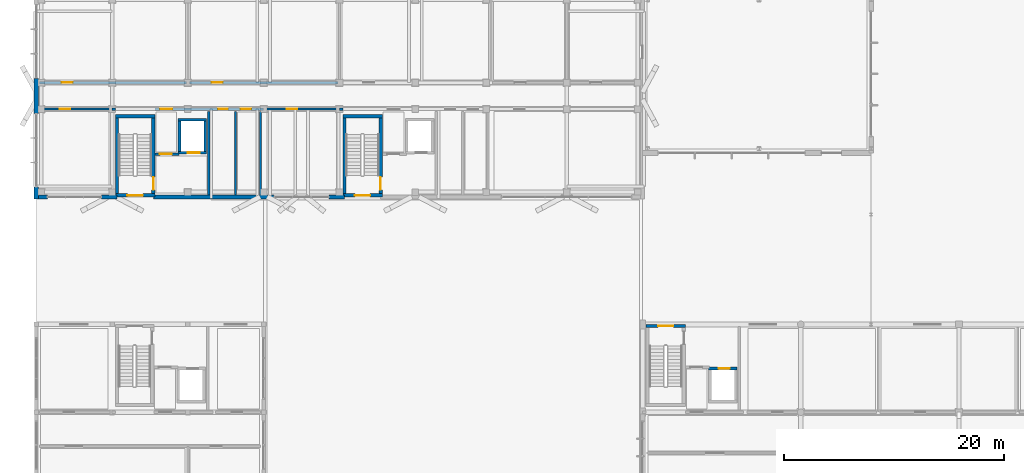
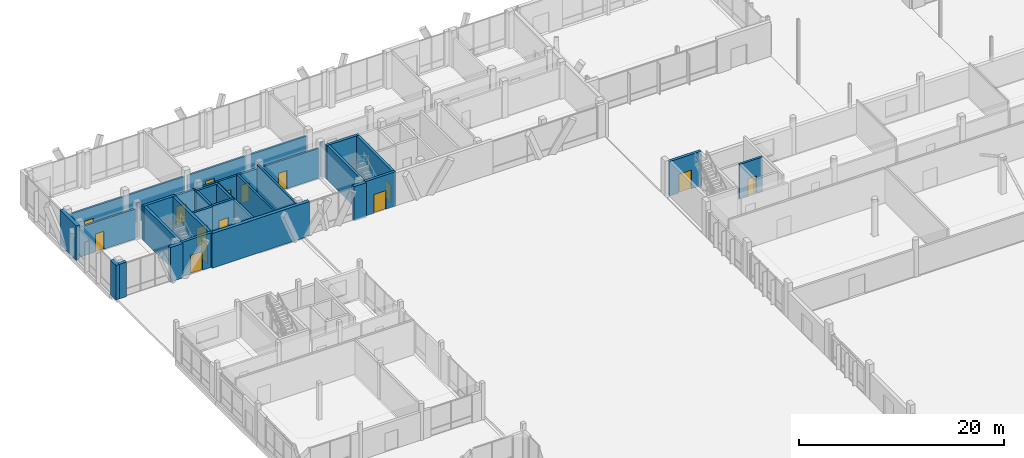
# One storey, part 197 of 233: 31 walls, 15 doors, 15 openings.
"""IFC4 building model written with IfcOpenShell, lengths in metres."""

from ifc_helpers import new_model, si_unit, direction, frame, frame_2d, origin, origin_with_axes, place, context, subcontext, project, spatial, rectangle, extrude, material, layer, layer_set, type_object, element, fill, save


model = new_model("IFC4")

# Units and contexts
model_context = context("Model", 3, precision=1e-05, world=origin(), true_north=direction((0.0, 1.0)))
body_context = subcontext(model_context, "Body", "Model", "MODEL_VIEW")
ifc_project = project(units=[si_unit("LENGTHUNIT", "METRE"), si_unit("AREAUNIT", "SQUARE_METRE"), si_unit("VOLUMEUNIT", "CUBIC_METRE"), si_unit("PLANEANGLEUNIT", "RADIAN"), si_unit("MASSUNIT", "GRAM", prefix="KILO")], contexts=[model_context])

# Site, building, storey
site_placement = place(None, origin())
site = spatial("IfcSite", under=ifc_project, at=site_placement, CompositionType="ELEMENT")
building_placement = place(site_placement, origin())
building = spatial("IfcBuilding", under=site, at=building_placement, Name="Zavelmont Quarter", CompositionType="ELEMENT")
storey_placement = place(building_placement, origin())
storey = spatial("IfcBuildingStorey", under=building, at=storey_placement, Name="L00", CompositionType="ELEMENT", Elevation=0.0)

# Walls
ifc_material_1 = material(Name="Natural Belgian limestone", Category="masonry")
ifc_layer_1 = layer(ifc_material_1, 0.3798828125)
ifc_layer_set_1 = layer_set([ifc_layer_1], Name="Natural Belgian limestone")
wall_type_1 = type_object("IfcWallType", Name="EW01", PredefinedType="STANDARD", material=ifc_layer_set_1)
wall_1_placement = place(storey_placement, frame((0.179931640625, 97.60009765625, 0.0), z_axis=(0.0, 0.0, 1.0), x_axis=(1.0, 0.0, 0.0)))
element("IfcWall", 1, at=wall_1_placement, inside=storey, type_object=wall_type_1, Name="L00 exterior limestone wall EW01", PredefinedType="STANDARD", context=body_context, shape_type="SweptSolid", body=[
    extrude(rectangle(XDim=0.820068359375, YDim=0.3798828125, at=frame_2d((0.41015625, 0.0))), origin(), (0.0, 0.0, 1.0), 4.1201171875),
])
wall_2_placement = place(storey_placement, frame((5.949951171875, 97.60009765625, 0.0), z_axis=(0.0, 0.0, 1.0), x_axis=(1.0, 0.0, 0.0)))
element("IfcWall", 2, at=wall_2_placement, inside=storey, type_object=wall_type_1, Name="L00 exterior limestone wall EW01", PredefinedType="STANDARD", context=body_context, shape_type="SweptSolid", body=[
    extrude(rectangle(XDim=1.400146484375, YDim=0.3798828125, at=frame_2d((0.7001953125, 0.0))), origin(), (0.0, 0.0, 1.0), 4.1201171875),
])
wall_3_placement = place(storey_placement, frame((10.64990234375, 97.60009765625, 0.0), z_axis=(0.0, 0.0, 1.0), x_axis=(1.0, 0.0, 0.0)))
element("IfcWall", 3, at=wall_3_placement, inside=storey, type_object=wall_type_1, Name="L00 exterior limestone wall EW01", PredefinedType="STANDARD", context=body_context, shape_type="SweptSolid", body=[
    extrude(rectangle(XDim=11.0, YDim=0.3798828125, at=frame_2d((5.5, 0.0))), origin(), (0.0, 0.0, 1.0), 4.1201171875),
])
wall_4_placement = place(storey_placement, frame((26.64990234375, 97.60009765625, 0.0), z_axis=(0.0, 0.0, 1.0), x_axis=(1.0, 0.0, 0.0)))
element("IfcWall", 4, at=wall_4_placement, inside=storey, type_object=wall_type_1, Name="L00 exterior limestone wall EW01", PredefinedType="STANDARD", context=body_context, shape_type="SweptSolid", body=[
    extrude(rectangle(XDim=1.400146484375, YDim=0.3798828125, at=frame_2d((0.7001953125, 0.0))), origin(), (0.0, 0.0, 1.0), 4.1201171875),
])
wall_5_placement = place(storey_placement, frame((0.0, 97.409912109375, 0.0), z_axis=(0.0, 0.0, 1.0), x_axis=(0.0, 1.0, 0.0)))
element("IfcWall", 5, at=wall_5_placement, inside=storey, type_object=wall_type_1, Name="L00 exterior limestone wall EW01", PredefinedType="STANDARD", context=body_context, shape_type="SweptSolid", body=[
    extrude(rectangle(XDim=1.090087890625, YDim=0.3798828125, at=frame_2d((0.544921875, 0.0))), origin(), (0.0, 0.0, 1.0), 4.1201171875),
])
wall_6_placement = place(storey_placement, frame((0.0, 105.199951171875, 0.0), z_axis=(0.0, 0.0, 1.0), x_axis=(0.0, 1.0, 0.0)))
element("IfcWall", 6, at=wall_6_placement, inside=storey, type_object=wall_type_1, Name="L00 exterior limestone wall EW01", PredefinedType="STANDARD", context=body_context, shape_type="SweptSolid", body=[
    extrude(rectangle(XDim=3.199951171875, YDim=0.3798828125, at=frame_2d((1.60009765625, 0.0))), origin(), (0.0, 0.0, 1.0), 4.1201171875),
])
ifc_material_2 = material(Name="Calcium-silicate blockwork and acoustic plaster", Category="masonry")
ifc_layer_2 = layer(ifc_material_2, 0.199951171875)
ifc_layer_set_2 = layer_set([ifc_layer_2], Name="Calcium-silicate blockwork and acoustic plaster")
wall_type_2 = type_object("IfcWallType", Name="IW01", PredefinedType="PARTITIONING", material=ifc_layer_set_2)
wall_7_placement = place(storey_placement, frame((18.125, 97.800048828125, 0.0), z_axis=(0.0, 0.0, 1.0), x_axis=(0.0, 1.0, 0.0)))
element("IfcWall", 7, at=wall_7_placement, inside=storey, type_object=wall_type_2, Name="L00 Service riser divider wall IW01", PredefinedType="PARTITIONING", context=body_context, shape_type="SweptSolid", body=[
    extrude(rectangle(XDim=7.599853515625, YDim=0.199951171875, at=frame_2d((3.7998046875, 0.0))), origin(), (0.0, 0.0, 1.0), 3.7900390625),
])
wall_8_placement = place(storey_placement, frame((20.419921875, 97.800048828125, 0.0), z_axis=(0.0, 0.0, 1.0), x_axis=(0.0, 1.0, 0.0)))
element("IfcWall", 8, at=wall_8_placement, inside=storey, type_object=wall_type_2, Name="L00 Core service end wall IW01", PredefinedType="PARTITIONING", context=body_context, shape_type="SweptSolid", body=[
    extrude(rectangle(XDim=7.599853515625, YDim=0.199951171875, at=frame_2d((3.7998046875, 0.0))), origin(), (0.0, 0.0, 1.0), 4.1201171875),
])

# Wall, opening, door
wall_9_placement = place(storey_placement, frame((0.300048828125, 108.0, 0.0), z_axis=(0.0, 0.0, 1.0), x_axis=(1.0, 0.0, 0.0)))
wall_9 = element("IfcWall", 9, at=wall_9_placement, inside=storey, type_object=wall_type_2, Name="L00 Block Entrance Foyer corridor wall IW01", PredefinedType="PARTITIONING", context=body_context, shape_type="SweptSolid", body=[
    extrude(rectangle(XDim=13.349853515625, YDim=0.199951171875, at=frame_2d((6.6748046875, 0.0))), origin(), (0.0, 0.0, 1.0), 3.56005859375),
])
opening_1_placement = place(wall_9_placement, frame((2.0, 0.0, 0.0)))
opening_1 = element("IfcOpeningElement", 10, at=opening_1_placement, cuts=wall_9, Name="Opening DR07", PredefinedType="OPENING", context=body_context, shape_type="SweptSolid", body=[
    extrude(rectangle(XDim=1.0, YDim=2.14990234375, at=frame_2d((0.5, 1.074951171875))), frame((0.0, 0.11181640625, 0.0), z_axis=(0.0, -1.0, 0.0), x_axis=(1.0, 0.0, 0.0)), (0.0, 0.0, 1.0), 0.223876953125),
])
ifc_material_3 = material(Name="Solid-core oak fire leaf in steel frame", Category="steel")
door_type_1 = type_object("IfcDoorType", Name="DR07", OperationType="NOTDEFINED", PredefinedType="DOOR", material=ifc_material_3)
door_1_placement = place(opening_1_placement, frame((1.0, 0.0, 0.0), z_axis=(0.0, 0.0, 1.0), x_axis=(-1.0, 0.0, 0.0)))
door_1 = element("IfcDoor", 11, at=door_1_placement, inside=storey, type_object=door_type_1, Name="L00 door DR07", OperationType="SINGLE_SWING_LEFT", OverallHeight=2.14990234375, OverallWidth=1.0, PredefinedType="DOOR", context=body_context, shape_type="SweptSolid", body=[
    extrude(rectangle(XDim=1.0, YDim=2.14990234375, at=frame_2d((0.5, 1.074951171875))), frame((0.0, 0.02490234375, 0.0), z_axis=(0.0, -1.0, 0.0), x_axis=(1.0, 0.0, 0.0)), (0.0, 0.0, 1.0), 0.050048828125),
])
fill(opening_1, door_1)

wall_10_placement = place(storey_placement, frame((13.949951171875, 108.0, 0.0), z_axis=(0.0, 0.0, 1.0), x_axis=(1.0, 0.0, 0.0)))
wall_10 = element("IfcWall", 12, at=wall_10_placement, inside=storey, type_object=wall_type_2, Name="L00 Residents Community Room corridor wall IW01", PredefinedType="PARTITIONING", context=body_context, shape_type="SweptSolid", body=[
    extrude(rectangle(XDim=13.5, YDim=0.199951171875, at=frame_2d((6.75, 0.0))), origin(), (0.0, 0.0, 1.0), 3.56005859375),
])
opening_2_placement = place(wall_10_placement, frame((2.0, 0.0, 0.0)))
opening_2 = element("IfcOpeningElement", 13, at=opening_2_placement, cuts=wall_10, Name="Opening DR07", PredefinedType="OPENING", context=body_context, shape_type="SweptSolid", body=[
    extrude(rectangle(XDim=1.0, YDim=2.14990234375, at=frame_2d((0.5, 1.074951171875))), frame((0.0, 0.11181640625, 0.0), z_axis=(0.0, -1.0, 0.0), x_axis=(1.0, 0.0, 0.0)), (0.0, 0.0, 1.0), 0.223876953125),
])
door_2_placement = place(opening_2_placement, origin_with_axes())
door_2 = element("IfcDoor", 14, at=door_2_placement, inside=storey, type_object=door_type_1, Name="L00 door DR07", OperationType="SINGLE_SWING_RIGHT", OverallHeight=2.14990234375, OverallWidth=1.0, PredefinedType="DOOR", context=body_context, shape_type="SweptSolid", body=[
    extrude(rectangle(XDim=1.0, YDim=2.14990234375, at=frame_2d((0.5, 1.074951171875))), frame((0.0, 0.02490234375, 0.0), z_axis=(0.0, -1.0, 0.0), x_axis=(1.0, 0.0, 0.0)), (0.0, 0.0, 1.0), 0.050048828125),
])
fill(opening_2, door_2)

wall_11_placement = place(storey_placement, frame((0.25, 105.60009765625, 0.0), z_axis=(0.0, 0.0, 1.0), x_axis=(1.0, 0.0, 0.0)))
wall_11 = element("IfcWall", 15, at=wall_11_placement, inside=storey, type_object=wall_type_2, Name="L00 Interior partition IW01", PredefinedType="PARTITIONING", context=body_context, shape_type="SweptSolid", body=[
    extrude(rectangle(XDim=6.449951171875, YDim=0.199951171875, at=frame_2d((3.22509765625, 0.0))), origin(), (0.0, 0.0, 1.0), 3.56005859375),
])
opening_3_placement = place(wall_11_placement, frame((1.89990234375, 0.0, 0.0)))
opening_3 = element("IfcOpeningElement", 16, at=opening_3_placement, cuts=wall_11, Name="Opening DR02", PredefinedType="OPENING", context=body_context, shape_type="SweptSolid", body=[
    extrude(rectangle(XDim=0.949951171875, YDim=2.14990234375, at=frame_2d((0.47509765625, 1.074951171875))), frame((0.0, 0.11181640625, 0.0), z_axis=(0.0, -1.0, 0.0), x_axis=(1.0, 0.0, 0.0)), (0.0, 0.0, 1.0), 0.223876953125),
])
door_type_2 = type_object("IfcDoorType", Name="DR02", OperationType="NOTDEFINED", PredefinedType="DOOR", material=ifc_material_3)
door_3_placement = place(opening_3_placement, origin_with_axes())
door_3 = element("IfcDoor", 17, at=door_3_placement, inside=storey, type_object=door_type_2, Name="L00 door DR02", OperationType="SINGLE_SWING_LEFT", OverallHeight=2.14990234375, OverallWidth=0.949951171875, PredefinedType="DOOR", context=body_context, shape_type="SweptSolid", body=[
    extrude(rectangle(XDim=0.949951171875, YDim=2.14990234375, at=frame_2d((0.47509765625, 1.074951171875))), frame((0.0, 0.02490234375, 0.0), z_axis=(0.0, -1.0, 0.0), x_axis=(1.0, 0.0, 0.0)), (0.0, 0.0, 1.0), 0.050048828125),
])
fill(opening_3, door_3)

wall_12_placement = place(storey_placement, frame((20.89990234375, 105.60009765625, 0.0), z_axis=(0.0, 0.0, 1.0), x_axis=(1.0, 0.0, 0.0)))
wall_12 = element("IfcWall", 18, at=wall_12_placement, inside=storey, type_object=wall_type_2, Name="L00 Interior partition IW01", PredefinedType="PARTITIONING", context=body_context, shape_type="SweptSolid", body=[
    extrude(rectangle(XDim=6.5, YDim=0.199951171875, at=frame_2d((3.25, 0.0))), origin(), (0.0, 0.0, 1.0), 3.56005859375),
])
opening_4_placement = place(wall_12_placement, frame((1.89990234375, 0.0, 0.0)))
opening_4 = element("IfcOpeningElement", 19, at=opening_4_placement, cuts=wall_12, Name="Opening DR02", PredefinedType="OPENING", context=body_context, shape_type="SweptSolid", body=[
    extrude(rectangle(XDim=0.949951171875, YDim=2.14990234375, at=frame_2d((0.47509765625, 1.074951171875))), frame((0.0, 0.11181640625, 0.0), z_axis=(0.0, -1.0, 0.0), x_axis=(1.0, 0.0, 0.0)), (0.0, 0.0, 1.0), 0.223876953125),
])
door_4_placement = place(opening_4_placement, frame((0.949951171875, 0.0, 0.0), z_axis=(0.0, 0.0, 1.0), x_axis=(-1.0, 0.0, 0.0)))
door_4 = element("IfcDoor", 20, at=door_4_placement, inside=storey, type_object=door_type_2, Name="L00 door DR02", OperationType="SINGLE_SWING_LEFT", OverallHeight=2.14990234375, OverallWidth=0.949951171875, PredefinedType="DOOR", context=body_context, shape_type="SweptSolid", body=[
    extrude(rectangle(XDim=0.949951171875, YDim=2.14990234375, at=frame_2d((0.47509765625, 1.074951171875))), frame((0.0, 0.02490234375, 0.0), z_axis=(0.0, -1.0, 0.0), x_axis=(1.0, 0.0, 0.0)), (0.0, 0.0, 1.0), 0.050048828125),
])
fill(opening_4, door_4)

# Wall
ifc_material_4 = material(Name="Reinforced masonry fire compartment wall", Category="masonry")
ifc_layer_3 = layer(ifc_material_4, 0.22509765625)
ifc_layer_set_3 = layer_set([ifc_layer_3], Name="Reinforced masonry fire compartment wall")
wall_type_3 = type_object("IfcWallType", Name="IW02", PredefinedType="PARTITIONING", material=ifc_layer_set_3)
wall_13_placement = place(storey_placement, frame((15.7099609375, 97.800048828125, 0.0), z_axis=(0.0, 0.0, 1.0), x_axis=(0.0, 1.0, 0.0)))
element("IfcWall", 21, at=wall_13_placement, inside=storey, type_object=wall_type_3, Name="L00 Firefighting lobby enclosure wall IW02", PredefinedType="PARTITIONING", context=body_context, shape_type="SweptSolid", body=[
    extrude(rectangle(XDim=7.599853515625, YDim=0.22509765625, at=frame_2d((3.7998046875, 0.0))), origin(), (0.0, 0.0, 1.0), 3.7900390625),
])

# Wall, opening, door
wall_14_placement = place(storey_placement, frame((10.800048828125, 101.5, 0.0), z_axis=(0.0, 0.0, 1.0), x_axis=(1.0, 0.0, 0.0)))
wall_14 = element("IfcWall", 22, at=wall_14_placement, inside=storey, type_object=wall_type_3, Name="L00 Firefighting lobby threshold wall IW02", PredefinedType="PARTITIONING", context=body_context, shape_type="SweptSolid", body=[
    extrude(rectangle(XDim=2.199951171875, YDim=0.22509765625, at=frame_2d((1.10009765625, 0.0))), origin(), (0.0, 0.0, 1.0), 4.1201171875),
])
opening_5_placement = place(wall_14_placement, frame((0.449951171875, 0.0, 0.0)))
opening_5 = element("IfcOpeningElement", 23, at=opening_5_placement, cuts=wall_14, Name="Opening DR10", PredefinedType="OPENING", context=body_context, shape_type="SweptSolid", body=[
    extrude(rectangle(XDim=1.10009765625, YDim=2.14990234375, at=frame_2d((0.550048828125, 1.074951171875))), frame((0.0, 0.12451171875, 0.0), z_axis=(0.0, -1.0, 0.0), x_axis=(1.0, 0.0, 0.0)), (0.0, 0.0, 1.0), 0.2490234375),
])
ifc_material_5 = material(Name="Painted steel lobby fire door", Category="steel")
door_type_3 = type_object("IfcDoorType", Name="DR10", OperationType="NOTDEFINED", PredefinedType="DOOR", material=ifc_material_5)
door_5_placement = place(opening_5_placement, frame((1.10009765625, 0.0, 0.0), z_axis=(0.0, 0.0, 1.0), x_axis=(-1.0, 0.0, 0.0)))
door_5 = element("IfcDoor", 24, at=door_5_placement, inside=storey, type_object=door_type_3, Name="Firefighting lobby fire door", OperationType="SINGLE_SWING_RIGHT", OverallHeight=2.14990234375, OverallWidth=1.10009765625, PredefinedType="DOOR", context=body_context, shape_type="SweptSolid", body=[
    extrude(rectangle(XDim=1.10009765625, YDim=2.14990234375, at=frame_2d((0.550048828125, 1.074951171875))), frame((0.0, 0.02490234375, 0.0), z_axis=(0.0, -1.0, 0.0), x_axis=(1.0, 0.0, 0.0)), (0.0, 0.0, 1.0), 0.050048828125),
])
fill(opening_5, door_5)

# Wall
wall_15_placement = place(storey_placement, frame((6.89990234375, 105.60009765625, 0.0), z_axis=(0.0, 0.0, 1.0), x_axis=(1.0, 0.0, 0.0)))
element("IfcWall", 25, at=wall_15_placement, inside=storey, type_object=wall_type_3, Name="L00 Core corridor wall IW02", PredefinedType="PARTITIONING", context=body_context, shape_type="SweptSolid", body=[
    extrude(rectangle(XDim=0.300048828125, YDim=0.22509765625, at=frame_2d((0.14990234375, 0.0))), origin(), (0.0, 0.0, 1.0), 4.1201171875),
])

# Wall, openings, doors
wall_16_placement = place(storey_placement, frame((10.800048828125, 105.60009765625, 0.0), z_axis=(0.0, 0.0, 1.0), x_axis=(1.0, 0.0, 0.0)))
wall_16 = element("IfcWall", 26, at=wall_16_placement, inside=storey, type_object=wall_type_3, Name="L00 Core corridor fire wall IW02", PredefinedType="PARTITIONING", context=body_context, shape_type="SweptSolid", body=[
    extrude(rectangle(XDim=9.89990234375, YDim=0.22509765625, at=frame_2d((4.949951171875, 0.0))), origin(), (0.0, 0.0, 1.0), 3.56005859375),
])
opening_6_placement = place(wall_16_placement, frame((0.47509765625, 0.0, 0.0)))
opening_6 = element("IfcOpeningElement", 27, at=opening_6_placement, cuts=wall_16, Name="Opening DR10", PredefinedType="OPENING", context=body_context, shape_type="SweptSolid", body=[
    extrude(rectangle(XDim=1.10009765625, YDim=2.14990234375, at=frame_2d((0.550048828125, 1.074951171875))), frame((0.0, 0.12451171875, 0.0), z_axis=(0.0, -1.0, 0.0), x_axis=(1.0, 0.0, 0.0)), (0.0, 0.0, 1.0), 0.2490234375),
])
opening_7_placement = place(wall_16_placement, frame((5.75, 0.0, 0.0)))
opening_7 = element("IfcOpeningElement", 28, at=opening_7_placement, cuts=wall_16, Name="Opening DR11", PredefinedType="OPENING", context=body_context, shape_type="SweptSolid", body=[
    extrude(rectangle(XDim=0.89990234375, YDim=2.10009765625, at=frame_2d((0.449951171875, 1.050048828125))), frame((0.0, 0.12451171875, 0.0), z_axis=(0.0, -1.0, 0.0), x_axis=(1.0, 0.0, 0.0)), (0.0, 0.0, 1.0), 0.2490234375),
])
opening_8_placement = place(wall_16_placement, frame((7.800048828125, 0.0, 0.0)))
opening_8 = element("IfcOpeningElement", 29, at=opening_8_placement, cuts=wall_16, Name="Opening DR02", PredefinedType="OPENING", context=body_context, shape_type="SweptSolid", body=[
    extrude(rectangle(XDim=0.949951171875, YDim=2.14990234375, at=frame_2d((0.47509765625, 1.074951171875))), frame((0.0, 0.12451171875, 0.0), z_axis=(0.0, -1.0, 0.0), x_axis=(1.0, 0.0, 0.0)), (0.0, 0.0, 1.0), 0.2490234375),
])
door_6_placement = place(opening_8_placement, origin_with_axes())
door_6 = element("IfcDoor", 30, at=door_6_placement, inside=storey, type_object=door_type_2, Name="Auxiliary store corridor door", OperationType="SINGLE_SWING_RIGHT", OverallHeight=2.14990234375, OverallWidth=0.949951171875, PredefinedType="DOOR", context=body_context, shape_type="SweptSolid", body=[
    extrude(rectangle(XDim=0.949951171875, YDim=2.14990234375, at=frame_2d((0.47509765625, 1.074951171875))), frame((0.0, 0.02490234375, 0.0), z_axis=(0.0, -1.0, 0.0), x_axis=(1.0, 0.0, 0.0)), (0.0, 0.0, 1.0), 0.050048828125),
])
fill(opening_8, door_6)
door_7_placement = place(opening_6_placement, frame((1.10009765625, 0.0, 0.0), z_axis=(0.0, 0.0, 1.0), x_axis=(-1.0, 0.0, 0.0)))
door_7 = element("IfcDoor", 31, at=door_7_placement, inside=storey, type_object=door_type_3, Name="Core vestibule fire door", OperationType="SINGLE_SWING_LEFT", OverallHeight=2.14990234375, OverallWidth=1.10009765625, PredefinedType="DOOR", context=body_context, shape_type="SweptSolid", body=[
    extrude(rectangle(XDim=1.10009765625, YDim=2.14990234375, at=frame_2d((0.550048828125, 1.074951171875))), frame((0.0, 0.02490234375, 0.0), z_axis=(0.0, -1.0, 0.0), x_axis=(1.0, 0.0, 0.0)), (0.0, 0.0, 1.0), 0.050048828125),
])
fill(opening_6, door_7)
ifc_material_6 = material(Name="Painted steel service-riser fire door", Category="steel")
door_type_4 = type_object("IfcDoorType", Name="DR11", OperationType="NOTDEFINED", PredefinedType="DOOR", material=ifc_material_6)
door_8_placement = place(opening_7_placement, origin_with_axes())
door_8 = element("IfcDoor", 32, at=door_8_placement, inside=storey, type_object=door_type_4, Name="Service riser fire door", OperationType="SINGLE_SWING_LEFT", OverallHeight=2.10009765625, OverallWidth=0.89990234375, PredefinedType="DOOR", context=body_context, shape_type="SweptSolid", body=[
    extrude(rectangle(XDim=0.89990234375, YDim=2.10009765625, at=frame_2d((0.449951171875, 1.050048828125))), frame((0.0, 0.02490234375, 0.0), z_axis=(0.0, -1.0, 0.0), x_axis=(1.0, 0.0, 0.0)), (0.0, 0.0, 1.0), 0.050048828125),
])
fill(opening_7, door_8)

# Walls
wall_17_placement = place(storey_placement, frame((27.60009765625, 105.60009765625, 0.0), z_axis=(0.0, 0.0, 1.0), x_axis=(1.0, 0.0, 0.0)))
element("IfcWall", 33, at=wall_17_placement, inside=storey, type_object=wall_type_3, Name="L00 Core corridor wall IW02", PredefinedType="PARTITIONING", context=body_context, shape_type="SweptSolid", body=[
    extrude(rectangle(XDim=0.2998046875, YDim=0.22509765625, at=frame_2d((0.14990234375, 0.0))), origin(), (0.0, 0.0, 1.0), 4.1201171875),
])
ifc_material_7 = material(Name="Concrete C40/50", Category="concrete")
ifc_layer_4 = layer(ifc_material_7, 0.300048828125)
ifc_layer_set_4 = layer_set([ifc_layer_4], Name="Concrete C40/50")
wall_type_4 = type_object("IfcWallType", Name="SW01", PredefinedType="SHEAR", material=ifc_layer_set_4)
wall_18_placement = place(storey_placement, frame((7.199951171875, 104.949951171875, 0.0), z_axis=(0.0, 0.0, 1.0), x_axis=(1.0, 0.0, 0.0)))
element("IfcWall", 34, at=wall_18_placement, inside=storey, type_object=wall_type_4, Name="L00 ST03 corridor shear wall SW01", PredefinedType="SHEAR", context=body_context, shape_type="SweptSolid", body=[
    extrude(rectangle(XDim=3.60009765625, YDim=0.300048828125, at=frame_2d((1.800048828125, 0.0))), origin(), (0.0, 0.0, 1.0), 4.1201171875),
])
wall_19_placement = place(storey_placement, frame((7.35009765625, 97.60009765625, 0.0), z_axis=(0.0, 0.0, 1.0), x_axis=(0.0, 1.0, 0.0)))
element("IfcWall", 35, at=wall_19_placement, inside=storey, type_object=wall_type_4, Name="L00 ST03 west shear wall SW01", PredefinedType="SHEAR", context=body_context, shape_type="SweptSolid", body=[
    extrude(rectangle(XDim=7.5, YDim=0.300048828125, at=frame_2d((3.75, 0.0))), origin(), (0.0, 0.0, 1.0), 4.1201171875),
])

# Wall, opening, door
wall_20_placement = place(storey_placement, frame((10.64990234375, 97.60009765625, 0.0), z_axis=(0.0, 0.0, 1.0), x_axis=(0.0, 1.0, 0.0)))
wall_20 = element("IfcWall", 36, at=wall_20_placement, inside=storey, type_object=wall_type_4, Name="L00 ST03 lobby shear wall SW01", PredefinedType="SHEAR", context=body_context, shape_type="SweptSolid", body=[
    extrude(rectangle(XDim=7.5, YDim=0.300048828125, at=frame_2d((3.75, 0.0))), origin(), (0.0, 0.0, 1.0), 4.1201171875),
])
opening_9_placement = place(wall_20_placement, frame((0.64990234375, 0.0, 0.0)))
opening_9 = element("IfcOpeningElement", 37, at=opening_9_placement, cuts=wall_20, Name="Opening DR09", PredefinedType="OPENING", context=body_context, shape_type="SweptSolid", body=[
    extrude(rectangle(XDim=1.14990234375, YDim=2.14990234375, at=frame_2d((0.574951171875, 1.074951171875))), frame((0.0, 0.162109375, 0.0), z_axis=(0.0, -1.0, 0.0), x_axis=(1.0, 0.0, 0.0)), (0.0, 0.0, 1.0), 0.323974609375),
])
ifc_material_8 = material(Name="Painted steel stair-core fire door", Category="steel")
door_type_5 = type_object("IfcDoorType", Name="DR09", OperationType="NOTDEFINED", PredefinedType="DOOR", material=ifc_material_8)
door_9_placement = place(opening_9_placement, origin_with_axes())
door_9 = element("IfcDoor", 38, at=door_9_placement, inside=storey, type_object=door_type_5, Name="ST03 protected stair door", OperationType="SINGLE_SWING_RIGHT", OverallHeight=2.14990234375, OverallWidth=1.14990234375, PredefinedType="DOOR", context=body_context, shape_type="SweptSolid", body=[
    extrude(rectangle(XDim=1.14990234375, YDim=2.14990234375, at=frame_2d((0.574951171875, 1.074951171875))), frame((0.0, 0.02490234375, 0.0), z_axis=(0.0, -1.0, 0.0), x_axis=(1.0, 0.0, 0.0)), (0.0, 0.0, 1.0), 0.050048828125),
])
fill(opening_9, door_9)

# Walls
wall_21_placement = place(storey_placement, frame((27.89990234375, 104.949951171875, 0.0), z_axis=(0.0, 0.0, 1.0), x_axis=(1.0, 0.0, 0.0)))
element("IfcWall", 39, at=wall_21_placement, inside=storey, type_object=wall_type_4, Name="L00 ST04 corridor shear wall SW01", PredefinedType="SHEAR", context=body_context, shape_type="SweptSolid", body=[
    extrude(rectangle(XDim=3.60009765625, YDim=0.300048828125, at=frame_2d((1.800048828125, 0.0))), origin(), (0.0, 0.0, 1.0), 4.1201171875),
])
wall_22_placement = place(storey_placement, frame((28.050048828125, 97.60009765625, 0.0), z_axis=(0.0, 0.0, 1.0), x_axis=(0.0, 1.0, 0.0)))
element("IfcWall", 40, at=wall_22_placement, inside=storey, type_object=wall_type_4, Name="L00 ST04 west shear wall SW01", PredefinedType="SHEAR", context=body_context, shape_type="SweptSolid", body=[
    extrude(rectangle(XDim=7.5, YDim=0.300048828125, at=frame_2d((3.75, 0.0))), origin(), (0.0, 0.0, 1.0), 4.1201171875),
])

# Wall, opening, door
wall_23_placement = place(storey_placement, frame((31.35009765625, 97.60009765625, 0.0), z_axis=(0.0, 0.0, 1.0), x_axis=(0.0, 1.0, 0.0)))
wall_23 = element("IfcWall", 41, at=wall_23_placement, inside=storey, type_object=wall_type_4, Name="L00 ST04 lobby shear wall SW01", PredefinedType="SHEAR", context=body_context, shape_type="SweptSolid", body=[
    extrude(rectangle(XDim=7.5, YDim=0.300048828125, at=frame_2d((3.75, 0.0))), origin(), (0.0, 0.0, 1.0), 4.1201171875),
])
opening_10_placement = place(wall_23_placement, frame((0.64990234375, 0.0, 0.0)))
opening_10 = element("IfcOpeningElement", 42, at=opening_10_placement, cuts=wall_23, Name="Opening DR09", PredefinedType="OPENING", context=body_context, shape_type="SweptSolid", body=[
    extrude(rectangle(XDim=1.14990234375, YDim=2.14990234375, at=frame_2d((0.574951171875, 1.074951171875))), frame((0.0, 0.162109375, 0.0), z_axis=(0.0, -1.0, 0.0), x_axis=(1.0, 0.0, 0.0)), (0.0, 0.0, 1.0), 0.323974609375),
])
door_10_placement = place(opening_10_placement, origin_with_axes())
door_10 = element("IfcDoor", 43, at=door_10_placement, inside=storey, type_object=door_type_5, Name="ST04 protected stair door", OperationType="SINGLE_SWING_RIGHT", OverallHeight=2.14990234375, OverallWidth=1.14990234375, PredefinedType="DOOR", context=body_context, shape_type="SweptSolid", body=[
    extrude(rectangle(XDim=1.14990234375, YDim=2.14990234375, at=frame_2d((0.574951171875, 1.074951171875))), frame((0.0, 0.02490234375, 0.0), z_axis=(0.0, -1.0, 0.0), x_axis=(1.0, 0.0, 0.0)), (0.0, 0.0, 1.0), 0.050048828125),
])
fill(opening_10, door_10)

ifc_layer_5 = layer(ifc_material_7, 0.25)
ifc_layer_set_5 = layer_set([ifc_layer_5], Name="Concrete C40/50")
wall_type_5 = type_object("IfcWallType", Name="SW02", PredefinedType="SHEAR", material=ifc_layer_set_5)
wall_24_placement = place(storey_placement, frame((12.89990234375, 101.625, 0.0), z_axis=(0.0, 0.0, 1.0), x_axis=(1.0, 0.0, 0.0)))
wall_24 = element("IfcWall", 44, at=wall_24_placement, inside=storey, type_object=wall_type_5, Name="L00 Lift FL02 landing shaft wall SW02", PredefinedType="SHEAR", context=body_context, shape_type="SweptSolid", body=[
    extrude(rectangle(XDim=2.60009765625, YDim=0.25, at=frame_2d((1.300048828125, 0.0))), origin(), (0.0, 0.0, 1.0), 4.1201171875),
])
opening_11_placement = place(wall_24_placement, frame((0.875, 0.0, 0.0)))
opening_11 = element("IfcOpeningElement", 45, at=opening_11_placement, cuts=wall_24, Name="Opening LD02", PredefinedType="OPENING", context=body_context, shape_type="SweptSolid", body=[
    extrude(rectangle(XDim=1.10009765625, YDim=2.10009765625, at=frame_2d((0.550048828125, 1.050048828125))), frame((0.0, 0.136962890625, 0.0), z_axis=(0.0, -1.0, 0.0), x_axis=(1.0, 0.0, 0.0)), (0.0, 0.0, 1.0), 0.27392578125),
])
ifc_material_9 = material(Name="Brushed stainless-steel firefighting lift landing door", Category="steel")
door_type_6 = type_object("IfcDoorType", Name="LD02", OperationType="SLIDING_TO_LEFT", PredefinedType="DOOR", material=ifc_material_9)
door_11_placement = place(opening_11_placement, origin_with_axes())
door_11 = element("IfcDoor", 46, at=door_11_placement, inside=storey, type_object=door_type_6, Name="Lift FL02 sliding landing door", OperationType="SLIDING_TO_LEFT", OverallHeight=2.10009765625, OverallWidth=1.10009765625, PredefinedType="DOOR", context=body_context, shape_type="SweptSolid", body=[
    extrude(rectangle(XDim=1.10009765625, YDim=2.10009765625, at=frame_2d((0.550048828125, 1.050048828125))), frame((0.0, 0.02490234375, 0.0), z_axis=(0.0, -1.0, 0.0), x_axis=(1.0, 0.0, 0.0)), (0.0, 0.0, 1.0), 0.050048828125),
])
fill(opening_11, door_11)

# Walls
wall_25_placement = place(storey_placement, frame((12.89990234375, 104.625, 0.0), z_axis=(0.0, 0.0, 1.0), x_axis=(1.0, 0.0, 0.0)))
element("IfcWall", 47, at=wall_25_placement, inside=storey, type_object=wall_type_5, Name="L00 Lift FL02 back shaft wall SW02", PredefinedType="SHEAR", context=body_context, shape_type="SweptSolid", body=[
    extrude(rectangle(XDim=2.60009765625, YDim=0.25, at=frame_2d((1.300048828125, 0.0))), origin(), (0.0, 0.0, 1.0), 4.1201171875),
])
for number, where, z_axis, x_axis, name in (
    (48, (13.02490234375, 101.5, 0.0), (0.0, 0.0, 1.0), (0.0, 1.0, 0.0), "L00 Lift FL02 west shaft wall SW02"),
    (49, (15.375, 101.5, 0.0), (0.0, 0.0, 1.0), (0.0, 1.0, 0.0), "L00 Lift FL02 east shaft wall SW02"),
):
    element("IfcWall", number, at=place(storey_placement, frame(where, z_axis=z_axis, x_axis=x_axis)), inside=storey, type_object=wall_type_5, Name=name, PredefinedType="SHEAR", context=body_context, shape_type="SweptSolid", body=[
        extrude(rectangle(XDim=3.25, YDim=0.25, at=frame_2d((1.625, 0.0))), origin(), (0.0, 0.0, 1.0), 4.1201171875),
    ])

# Wall, opening, door
wall_26_placement = place(storey_placement, frame((61.199951171875, 81.97509765625, 0.0), z_axis=(0.0, 0.0, 1.0), x_axis=(1.0, 0.0, 0.0)))
wall_26 = element("IfcWall", 50, at=wall_26_placement, inside=storey, type_object=wall_type_5, Name="L00 Lift LF09 landing shaft wall SW02", PredefinedType="SHEAR", context=body_context, shape_type="SweptSolid", body=[
    extrude(rectangle(XDim=2.60009765625, YDim=0.25, at=frame_2d((1.300048828125, 0.0))), origin(), (0.0, 0.0, 1.0), 4.1201171875),
])
opening_12_placement = place(wall_26_placement, frame((0.925048828125, 0.0, 0.0)))
opening_12 = element("IfcOpeningElement", 51, at=opening_12_placement, cuts=wall_26, Name="Opening LD01", PredefinedType="OPENING", context=body_context, shape_type="SweptSolid", body=[
    extrude(rectangle(XDim=1.0, YDim=2.10009765625, at=frame_2d((0.5, 1.050048828125))), frame((0.0, 0.136962890625, 0.0), z_axis=(0.0, -1.0, 0.0), x_axis=(1.0, 0.0, 0.0)), (0.0, 0.0, 1.0), 0.27392578125),
])
ifc_material_10 = material(Name="Brushed stainless-steel automatic sliding landing door", Category="steel")
door_type_7 = type_object("IfcDoorType", Name="LD01", OperationType="SLIDING_TO_LEFT", PredefinedType="DOOR", material=ifc_material_10)
door_12_placement = place(opening_12_placement, origin_with_axes())
door_12 = element("IfcDoor", 52, at=door_12_placement, inside=storey, type_object=door_type_7, Name="Lift LF09 sliding landing door", OperationType="SLIDING_TO_LEFT", OverallHeight=2.10009765625, OverallWidth=1.0, PredefinedType="DOOR", context=body_context, shape_type="SweptSolid", body=[
    extrude(rectangle(XDim=1.0, YDim=2.10009765625, at=frame_2d((0.5, 1.050048828125))), frame((0.0, 0.02490234375, 0.0), z_axis=(0.0, -1.0, 0.0), x_axis=(1.0, 0.0, 0.0)), (0.0, 0.0, 1.0), 0.050048828125),
])
fill(opening_12, door_12)

ifc_layer_6 = layer(ifc_material_7, 0.300048828125)
ifc_layer_set_6 = layer_set([ifc_layer_6], Name="Concrete C40/50")
wall_type_6 = type_object("IfcWallType", Name="SW03", PredefinedType="SHEAR", material=ifc_layer_set_6)
wall_27_placement = place(storey_placement, frame((7.199951171875, 97.75, 0.0), z_axis=(0.0, 0.0, 1.0), x_axis=(1.0, 0.0, 0.0)))
wall_27 = element("IfcWall", 53, at=wall_27_placement, inside=storey, type_object=wall_type_6, Name="L00 ST03 outer shear wall SW03", PredefinedType="SHEAR", context=body_context, shape_type="SweptSolid", body=[
    extrude(rectangle(XDim=3.60009765625, YDim=0.300048828125, at=frame_2d((1.800048828125, 0.0))), origin(), (0.0, 0.0, 1.0), 4.1201171875),
])
opening_13_placement = place(wall_27_placement, frame((1.10009765625, 0.0, 0.0)))
opening_13 = element("IfcOpeningElement", 54, at=opening_13_placement, cuts=wall_27, Name="Opening DR15", PredefinedType="OPENING", context=body_context, shape_type="SweptSolid", body=[
    extrude(rectangle(XDim=1.39990234375, YDim=2.25, at=frame_2d((0.699951171875, 1.125))), frame((0.0, 0.162109375, 0.0), z_axis=(0.0, -1.0, 0.0), x_axis=(1.0, 0.0, 0.0)), (0.0, 0.0, 1.0), 0.323974609375),
])
ifc_material_11 = material(Name="Powder-coated steel final-exit stair door", Category="steel")
door_type_8 = type_object("IfcDoorType", Name="DR15", OperationType="DOUBLE_DOOR_SINGLE_SWING", PredefinedType="DOOR", material=ifc_material_11)
door_13_placement = place(opening_13_placement, frame((1.39990234375, 0.0, 0.0), z_axis=(0.0, 0.0, 1.0), x_axis=(-1.0, 0.0, 0.0)))
door_13 = element("IfcDoor", 55, at=door_13_placement, inside=storey, type_object=door_type_8, Name="Block B ST03 courtyard final exit door", OperationType="DOUBLE_DOOR_SINGLE_SWING", OverallHeight=2.25, OverallWidth=1.39990234375, PredefinedType="DOOR", context=body_context, shape_type="SweptSolid", body=[
    extrude(rectangle(XDim=1.39990234375, YDim=2.25, at=frame_2d((0.699951171875, 1.125))), frame((0.0, 0.02490234375, 0.0), z_axis=(0.0, -1.0, 0.0), x_axis=(1.0, 0.0, 0.0)), (0.0, 0.0, 1.0), 0.050048828125),
])
fill(opening_13, door_13)

wall_28_placement = place(storey_placement, frame((27.89990234375, 97.75, 0.0), z_axis=(0.0, 0.0, 1.0), x_axis=(1.0, 0.0, 0.0)))
wall_28 = element("IfcWall", 56, at=wall_28_placement, inside=storey, type_object=wall_type_6, Name="L00 ST04 outer shear wall SW03", PredefinedType="SHEAR", context=body_context, shape_type="SweptSolid", body=[
    extrude(rectangle(XDim=3.60009765625, YDim=0.300048828125, at=frame_2d((1.800048828125, 0.0))), origin(), (0.0, 0.0, 1.0), 4.1201171875),
])
opening_14_placement = place(wall_28_placement, frame((1.10009765625, 0.0, 0.0)))
opening_14 = element("IfcOpeningElement", 57, at=opening_14_placement, cuts=wall_28, Name="Opening DR15", PredefinedType="OPENING", context=body_context, shape_type="SweptSolid", body=[
    extrude(rectangle(XDim=1.39990234375, YDim=2.25, at=frame_2d((0.699951171875, 1.125))), frame((0.0, 0.162109375, 0.0), z_axis=(0.0, -1.0, 0.0), x_axis=(1.0, 0.0, 0.0)), (0.0, 0.0, 1.0), 0.323974609375),
])
door_14_placement = place(opening_14_placement, frame((1.39990234375, 0.0, 0.0), z_axis=(0.0, 0.0, 1.0), x_axis=(-1.0, 0.0, 0.0)))
door_14 = element("IfcDoor", 58, at=door_14_placement, inside=storey, type_object=door_type_8, Name="Block B ST04 courtyard final exit door", OperationType="DOUBLE_DOOR_SINGLE_SWING", OverallHeight=2.25, OverallWidth=1.39990234375, PredefinedType="DOOR", context=body_context, shape_type="SweptSolid", body=[
    extrude(rectangle(XDim=1.39990234375, YDim=2.25, at=frame_2d((0.699951171875, 1.125))), frame((0.0, 0.02490234375, 0.0), z_axis=(0.0, -1.0, 0.0), x_axis=(1.0, 0.0, 0.0)), (0.0, 0.0, 1.0), 0.050048828125),
])
fill(opening_14, door_14)

wall_29_placement = place(storey_placement, frame((55.5, 85.85009765625, 0.0), z_axis=(0.0, 0.0, 1.0), x_axis=(1.0, 0.0, 0.0)))
wall_29 = element("IfcWall", 59, at=wall_29_placement, inside=storey, type_object=wall_type_6, Name="L00 ST09 outer shear wall SW03", PredefinedType="SHEAR", context=body_context, shape_type="SweptSolid", body=[
    extrude(rectangle(XDim=3.60009765625, YDim=0.300048828125, at=frame_2d((1.800048828125, 0.0))), origin(), (0.0, 0.0, 1.0), 4.1201171875),
])
opening_15_placement = place(wall_29_placement, frame((1.10009765625, 0.0, 0.0)))
opening_15 = element("IfcOpeningElement", 60, at=opening_15_placement, cuts=wall_29, Name="Opening DR15", PredefinedType="OPENING", context=body_context, shape_type="SweptSolid", body=[
    extrude(rectangle(XDim=1.39990234375, YDim=2.25, at=frame_2d((0.699951171875, 1.125))), frame((0.0, 0.162109375, 0.0), z_axis=(0.0, -1.0, 0.0), x_axis=(1.0, 0.0, 0.0)), (0.0, 0.0, 1.0), 0.323974609375),
])
door_15_placement = place(opening_15_placement, origin_with_axes())
door_15 = element("IfcDoor", 61, at=door_15_placement, inside=storey, type_object=door_type_8, Name="Community Hall ST09 courtyard final exit door", OperationType="DOUBLE_DOOR_SINGLE_SWING", OverallHeight=2.25, OverallWidth=1.39990234375, PredefinedType="DOOR", context=body_context, shape_type="SweptSolid", body=[
    extrude(rectangle(XDim=1.39990234375, YDim=2.25, at=frame_2d((0.699951171875, 1.125))), frame((0.0, 0.02490234375, 0.0), z_axis=(0.0, -1.0, 0.0), x_axis=(1.0, 0.0, 0.0)), (0.0, 0.0, 1.0), 0.050048828125),
])
fill(opening_15, door_15)

save(model, "model.ifc")
